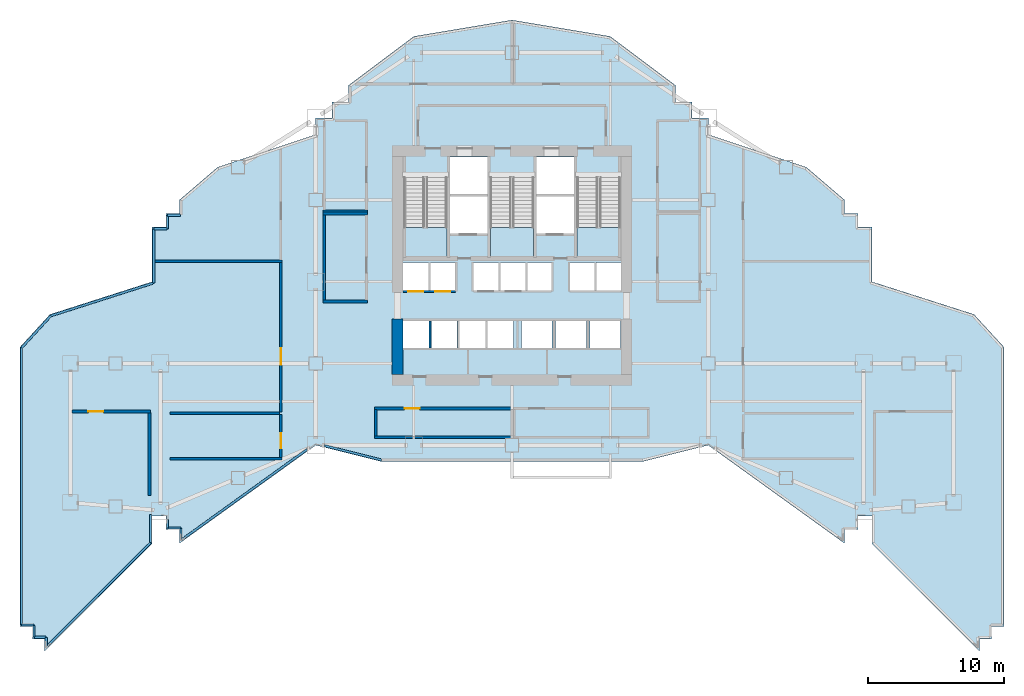
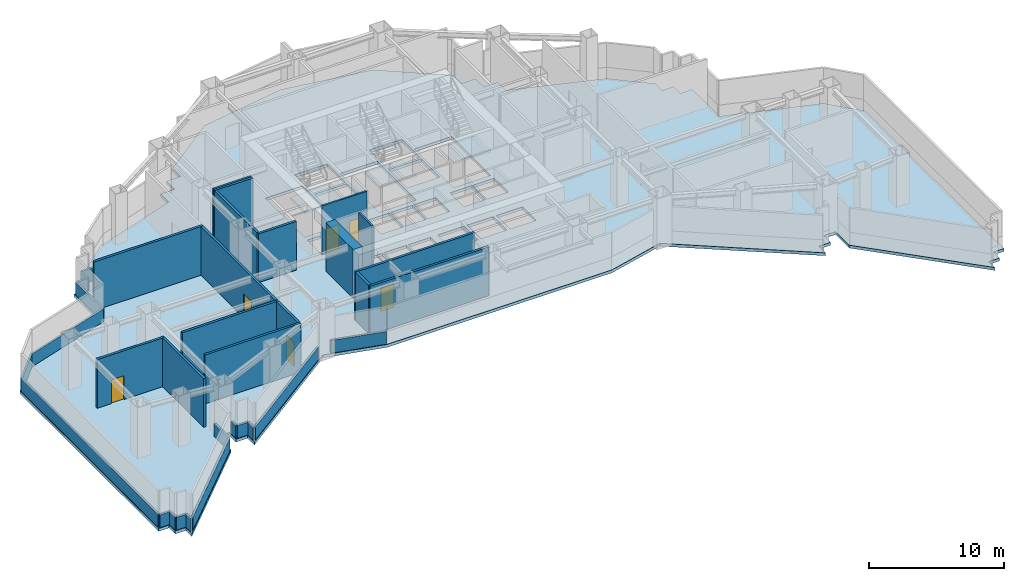
# One storey, part 2 of 12: 35 walls, 6 doors, 4 slabs, 6 openings, 3 elements without a shape of their own.
"""IFC4 building model written with IfcOpenShell, lengths in metres."""

from ifc_helpers import new_model, si_unit, direction, frame, frame_2d, origin, place, context, subcontext, project, spatial, polyline, rectangle, outline, extrude, material, layer, layer_set, type_object, element, fill, aggregate, save


model = new_model("IFC4")

# Units and contexts
model_context = context("Model", 3, precision=1e-05, world=origin(), true_north=direction((0.0, 1.0)))
body_context = subcontext(model_context, "Body", "Model", "MODEL_VIEW")
ifc_project = project(units=[si_unit("LENGTHUNIT", "METRE"), si_unit("AREAUNIT", "SQUARE_METRE"), si_unit("VOLUMEUNIT", "CUBIC_METRE"), si_unit("PLANEANGLEUNIT", "RADIAN"), si_unit("MASSUNIT", "GRAM", prefix="KILO")], contexts=[model_context])

# Site, building, storey
site_placement = place(None, origin())
site = spatial("IfcSite", under=ifc_project, at=site_placement, CompositionType="ELEMENT")
building_placement = place(site_placement, origin())
building = spatial("IfcBuilding", under=site, at=building_placement, Name="Haolan Belvedere Tower", CompositionType="ELEMENT")
storey_placement = place(building_placement, frame((0.0, 0.0, 43.0)))
storey = spatial("IfcBuildingStorey", under=building, at=storey_placement, Name="L10", CompositionType="ELEMENT", Elevation=43.0)

# Slab
ifc_material_1 = material(Name="Concrete C45/55", Category="concrete")
ifc_layer_1 = layer(ifc_material_1, 0.260009765625, Name="Concrete C45/55")
ifc_layer_set_1 = layer_set([ifc_layer_1], Name="Concrete C45/55")
slab_type_1 = type_object("IfcSlabType", Name="SL-FLR-260", PredefinedType="FLOOR", material=ifc_layer_set_1)
slab_1_placement = place(storey_placement, frame((0.0, 0.0, -0.260009765625)))
element("IfcSlab", 1, at=slab_1_placement, inside=storey, type_object=slab_type_1, Name="L10 structural floor slab", PredefinedType="FLOOR", context=body_context, shape_type="SweptSolid", body=[
    extrude(outline(polyline([(2.300048828125, 28.800048828125), (2.300048828125, 8.89501953125), (2.300048828125, 8.294921875), (3.199951171875, 8.294921875), (3.199951171875, 7.39501953125), (4.10009765625, 7.39501953125), (4.10009765625, 6.4951171875), (12.0, 14.39990234375), (12.0, 16.39990234375), (13.0, 16.39990234375), (13.0, 15.39990234375), (14.0, 15.39990234375), (14.0, 14.39990234375), (24.0, 21.60009765625), (28.800048828125, 20.39990234375), (48.0, 20.39990234375), (52.800048828125, 21.60009765625), (62.800048828125, 14.39990234375), (62.800048828125, 15.39990234375), (63.800048828125, 15.39990234375), (63.800048828125, 16.39990234375), (64.800048828125, 16.39990234375), (64.800048828125, 14.39990234375), (72.699951171875, 6.4951171875), (72.699951171875, 7.39501953125), (73.60009765625, 7.39501953125), (73.60009765625, 8.294921875), (74.5, 8.294921875), (74.5, 28.800048828125), (72.300048828125, 31.199951171875), (64.800048828125, 33.60009765625), (64.800048828125, 37.60009765625), (63.800048828125, 37.60009765625), (63.800048828125, 38.60009765625), (62.800048828125, 38.60009765625), (62.800048828125, 39.60009765625), (60.0, 42.0), (52.800048828125, 44.39990234375), (52.800048828125, 45.60009765625), (51.60009765625, 45.60009765625), (51.60009765625, 46.800048828125), (50.39990234375, 46.800048828125), (50.39990234375, 48.0), (45.60009765625, 51.60009765625), (38.39990234375, 52.800048828125), (31.199951171875, 51.60009765625), (26.39990234375, 48.0), (26.39990234375, 46.800048828125), (25.199951171875, 46.800048828125), (25.199951171875, 45.60009765625), (24.0, 45.60009765625), (24.0, 44.39990234375), (16.800048828125, 42.0), (14.0, 39.60009765625), (14.0, 38.60009765625), (13.0, 38.60009765625), (13.0, 37.60009765625), (12.0, 37.60009765625), (12.0, 33.60009765625), (4.5, 31.199951171875), (2.300048828125, 28.800048828125)]), holes=[polyline([(30.449951171875, 41.22998046875), (30.449951171875, 35.449951171875), (33.6298828125, 35.449951171875), (33.6298828125, 41.22998046875), (30.449951171875, 41.22998046875)]), polyline([(36.81005859375, 41.22998046875), (36.81005859375, 35.449951171875), (39.989990234375, 35.449951171875), (39.989990234375, 41.22998046875), (36.81005859375, 41.22998046875)]), polyline([(43.169921875, 41.22998046875), (43.169921875, 35.449951171875), (46.35009765625, 35.449951171875), (46.35009765625, 41.22998046875), (43.169921875, 41.22998046875)]), polyline([(33.830078125, 40.050048828125), (36.610107421875, 40.050048828125), (36.610107421875, 42.75), (33.830078125, 42.75), (33.830078125, 40.050048828125)]), polyline([(33.830078125, 37.14990234375), (36.610107421875, 37.14990234375), (36.610107421875, 39.85009765625), (33.830078125, 39.85009765625), (33.830078125, 37.14990234375)]), polyline([(40.18994140625, 40.050048828125), (42.969970703125, 40.050048828125), (42.969970703125, 42.75), (40.18994140625, 42.75), (40.18994140625, 40.050048828125)]), polyline([(40.18994140625, 37.14990234375), (42.969970703125, 37.14990234375), (42.969970703125, 39.85009765625), (40.18994140625, 39.85009765625), (40.18994140625, 37.14990234375)]), polyline([(30.419921875, 32.949951171875), (32.27001953125, 32.949951171875), (32.27001953125, 35.0), (30.419921875, 35.0), (30.419921875, 32.949951171875)]), polyline([(32.409912109375, 32.949951171875), (34.260009765625, 32.949951171875), (34.260009765625, 35.0), (32.409912109375, 35.0), (32.409912109375, 32.949951171875)]), polyline([(35.56005859375, 32.949951171875), (37.409912109375, 32.949951171875), (37.409912109375, 35.0), (35.56005859375, 35.0), (35.56005859375, 32.949951171875)]), polyline([(37.550048828125, 32.949951171875), (39.39990234375, 32.949951171875), (39.39990234375, 35.0), (37.550048828125, 35.0), (37.550048828125, 32.949951171875)]), polyline([(39.5400390625, 32.949951171875), (41.389892578125, 32.949951171875), (41.389892578125, 35.0), (39.5400390625, 35.0), (39.5400390625, 32.949951171875)]), polyline([(42.6201171875, 32.949951171875), (44.469970703125, 32.949951171875), (44.469970703125, 35.0), (42.6201171875, 35.0), (42.6201171875, 32.949951171875)]), polyline([(44.580078125, 32.949951171875), (46.3798828125, 32.949951171875), (46.3798828125, 35.0), (44.580078125, 35.0), (44.580078125, 32.949951171875)]), polyline([(30.419921875, 28.75), (32.320068359375, 28.75), (32.320068359375, 30.75), (30.419921875, 30.75), (30.419921875, 28.75)]), polyline([(32.47998046875, 28.75), (34.3798828125, 28.75), (34.3798828125, 30.75), (32.47998046875, 30.75), (32.47998046875, 28.75)]), polyline([(34.5400390625, 28.75), (36.43994140625, 28.75), (36.43994140625, 30.75), (34.5400390625, 30.75), (34.5400390625, 28.75)]), polyline([(36.60009765625, 28.75), (38.5, 28.75), (38.5, 30.75), (36.60009765625, 30.75), (36.60009765625, 28.75)]), polyline([(39.10009765625, 28.75), (41.340087890625, 28.75), (41.340087890625, 30.75), (39.10009765625, 30.75), (39.10009765625, 28.75)]), polyline([(41.610107421875, 28.75), (43.85009765625, 28.75), (43.85009765625, 30.75), (41.610107421875, 30.75), (41.610107421875, 28.75)]), polyline([(44.1201171875, 28.75), (46.360107421875, 28.75), (46.360107421875, 30.75), (44.1201171875, 30.75), (44.1201171875, 28.75)])]), origin(), (0.0, 0.0, 1.0), 0.260009765625),
])

# Stair, slab
ifc_material_2 = material(Name="Concrete C40/50", Category="concrete")
stair_type = type_object("IfcStairType", Name="STR-DL-28R-164", PredefinedType="HALF_TURN_STAIR", material=ifc_material_2)
stair_1_placement = place(storey_placement, origin())
stair_1 = element("IfcStair", 2, at=stair_1_placement, inside=storey, type_object=stair_type, Name="L10 Smokeproof Core Exit Stair ST1", PredefinedType="HALF_TURN_STAIR")
ifc_layer_2 = layer(ifc_material_2, 0.199951171875, Name="Concrete C40/50")
ifc_layer_set_2 = layer_set([ifc_layer_2], Name="Concrete C40/50")
slab_type_2 = type_object("IfcSlabType", Name="SL-LAND-200", PredefinedType="LANDING", material=ifc_layer_set_2)
slab_2_placement = place(storey_placement, frame((0.0, 0.0, 2.10009765625)))
slab_2 = element("IfcSlab", 3, at=slab_2_placement, type_object=slab_type_2, Name="ST1 landing 1", PredefinedType="LANDING", context=body_context, shape_type="SweptSolid", body=[
    extrude(outline(polyline([(30.449951171875, 37.590087890625), (30.449951171875, 35.449951171875), (33.6298828125, 35.449951171875), (33.6298828125, 37.590087890625), (30.449951171875, 37.590087890625)])), origin(), (0.0, 0.0, 1.0), 0.199951171875),
])
aggregate(stair_1, [slab_2])

stair_2_placement = place(storey_placement, origin())
stair_2 = element("IfcStair", 4, at=stair_2_placement, inside=storey, type_object=stair_type, Name="L10 Smokeproof Core Exit Stair ST3", PredefinedType="HALF_TURN_STAIR")
slab_3_placement = place(storey_placement, frame((0.0, 0.0, 2.10009765625)))
slab_3 = element("IfcSlab", 5, at=slab_3_placement, type_object=slab_type_2, Name="ST3 landing 1", PredefinedType="LANDING", context=body_context, shape_type="SweptSolid", body=[
    extrude(outline(polyline([(36.81005859375, 37.590087890625), (36.81005859375, 35.449951171875), (39.989990234375, 35.449951171875), (39.989990234375, 37.590087890625), (36.81005859375, 37.590087890625)])), origin(), (0.0, 0.0, 1.0), 0.199951171875),
])
aggregate(stair_2, [slab_3])

stair_3_placement = place(storey_placement, origin())
stair_3 = element("IfcStair", 6, at=stair_3_placement, inside=storey, type_object=stair_type, Name="L10 Smokeproof Core Exit Stair ST2", PredefinedType="HALF_TURN_STAIR")
slab_4_placement = place(storey_placement, frame((0.0, 0.0, 2.10009765625)))
slab_4 = element("IfcSlab", 7, at=slab_4_placement, type_object=slab_type_2, Name="ST2 landing 1", PredefinedType="LANDING", context=body_context, shape_type="SweptSolid", body=[
    extrude(outline(polyline([(43.169921875, 37.590087890625), (43.169921875, 35.449951171875), (46.35009765625, 35.449951171875), (46.35009765625, 37.590087890625), (43.169921875, 37.590087890625)])), origin(), (0.0, 0.0, 1.0), 0.199951171875),
])
aggregate(stair_3, [slab_4])

# Walls
ifc_material_3 = material(Name="Concrete C70/85", Category="concrete")
ifc_layer_3 = layer(ifc_material_3, 0.800048828125, Name="Concrete C70/85")
ifc_layer_set_3 = layer_set([ifc_layer_3], Name="Concrete C70/85")
wall_type_1 = type_object("IfcWallType", Name="WL-CORE-800", PredefinedType="SHEAR", material=ifc_layer_set_3)
wall_1_placement = place(storey_placement, frame((30.0, 26.800048828125, 0.0), z_axis=(0.0, 0.0, 1.0), x_axis=(0.0, 1.0, 0.0)))
element("IfcWall", 8, at=wall_1_placement, inside=storey, type_object=wall_type_1, Name="L10 central core shear wall WS", PredefinedType="SHEAR", context=body_context, shape_type="SweptSolid", body=[
    extrude(rectangle(XDim=4.050048828125, YDim=0.800048828125, at=frame_2d((2.02490234375, 0.0))), origin(), (0.0, 0.0, 1.0), 4.39990234375),
])
ifc_layer_4 = layer(ifc_material_2, 0.199951171875, Name="Concrete C40/50")
ifc_layer_set_4 = layer_set([ifc_layer_4], Name="Concrete C40/50")
wall_type_2 = type_object("IfcWallType", Name="WL-FIRE-200", PredefinedType="SOLIDWALL", material=ifc_layer_set_4)
wall_2_placement = place(storey_placement, frame((12.2119140625, 35.10009765625, 0.0), z_axis=(0.0, 0.0, 1.0), x_axis=(1.0, 0.0, 0.0)))
element("IfcWall", 9, at=wall_2_placement, inside=storey, type_object=wall_type_2, Name="L10 interior partition IW-L10-REF-W1-N", PredefinedType="SOLIDWALL", context=body_context, shape_type="SweptSolid", body=[
    extrude(rectangle(XDim=9.30810546875, YDim=0.199951171875, at=frame_2d((4.654052734375, 0.0))), origin(), (0.0, 0.0, 1.0), 4.39990234375),
])

# Wall, opening, door
wall_3_placement = place(storey_placement, frame((21.43994140625, 24.02001953125, 0.0), z_axis=(0.0, 0.0, 1.0), x_axis=(0.0, 1.0, 0.0)))
wall_3 = element("IfcWall", 10, at=wall_3_placement, inside=storey, type_object=wall_type_2, Name="L10 interior partition IW-L10-REF-W1-E", PredefinedType="SOLIDWALL", context=body_context, shape_type="SweptSolid", body=[
    extrude(rectangle(XDim=10.994873046875, YDim=0.199951171875, at=frame_2d((5.49755859375, 0.0))), origin(), (0.0, 0.0, 1.0), 4.39990234375),
])
opening_1_placement = place(wall_3_placement, frame((4.699951171875, 0.0, 0.0), z_axis=(0.0, 0.0, 1.0), x_axis=(-1.0, 0.0, 0.0)))
opening_1 = element("IfcOpeningElement", 11, at=opening_1_placement, cuts=wall_3, Name="Opening FD-02", PredefinedType="OPENING", context=body_context, shape_type="SweptSolid", body=[
    extrude(rectangle(XDim=1.199951171875, YDim=2.14990234375, at=frame_2d((0.60009765625, 1.074951171875))), frame((0.0, 0.10986328125, 0.0), z_axis=(0.0, -1.0, 0.0), x_axis=(1.0, 0.0, 0.0)), (0.0, 0.0, 1.0), 0.219970703125),
])
ifc_material_4 = material(Name="Galvanised fire-rated steel", Category="steel")
door_type_1 = type_object("IfcDoorType", Name="DR-FD90-1200", OperationType="NOTDEFINED", PredefinedType="DOOR", material=ifc_material_4)
door_1_placement = place(opening_1_placement, origin())
door_1 = element("IfcDoor", 12, at=door_1_placement, inside=storey, type_object=door_type_1, Name="L10 door ID-L10-REF-W1", OperationType="SINGLE_SWING_LEFT", OverallHeight=2.14990234375, OverallWidth=1.199951171875, PredefinedType="DOOR", context=body_context, shape_type="SweptSolid", body=[
    extrude(rectangle(XDim=1.199951171875, YDim=2.14990234375, at=frame_2d((0.60009765625, 1.074951171875))), frame((0.0, 0.02490234375, 0.0), z_axis=(0.0, -1.0, 0.0), x_axis=(1.0, 0.0, 0.0)), (0.0, 0.0, 1.0), 0.050048828125),
])
fill(opening_1, door_1)

# Walls
for number, where, z_axis, x_axis, name in (
    (13, (24.5400390625, 38.60009765625, 0.0), (0.0, 0.0, 1.0), (1.0, 0.0, 0.0), "L10 interior partition IW-L10-REF-WI1-N"),
    (14, (24.5400390625, 32.14990234375, 0.0), (0.0, 0.0, 1.0), (1.0, 0.0, 0.0), "L10 interior partition IW-L10-REF-WI1-S"),
):
    element("IfcWall", number, at=place(storey_placement, frame(where, z_axis=z_axis, x_axis=x_axis)), inside=storey, type_object=wall_type_2, Name=name, PredefinedType="SOLIDWALL", context=body_context, shape_type="SweptSolid", body=[
        extrude(rectangle(XDim=3.260009765625, YDim=0.199951171875, at=frame_2d((1.6298828125, 0.0))), origin(), (0.0, 0.0, 1.0), 4.39990234375),
    ])
wall_4_placement = place(storey_placement, frame((24.6201171875, 32.235107421875, 0.0), z_axis=(0.0, 0.0, 1.0), x_axis=(0.0, 1.0, 0.0)))
element("IfcWall", 15, at=wall_4_placement, inside=storey, type_object=wall_type_2, Name="L10 interior partition IW-L10-REF-WI1-W", PredefinedType="SOLIDWALL", context=body_context, shape_type="SweptSolid", body=[
    extrude(rectangle(XDim=6.27978515625, YDim=0.199951171875, at=frame_2d((3.139892578125, 0.0))), origin(), (0.0, 0.0, 1.0), 4.39990234375),
])
wall_5_placement = place(storey_placement, frame((24.5400390625, 38.760009765625, 0.0), z_axis=(0.0, 0.0, 1.0), x_axis=(1.0, 0.0, 0.0)))
element("IfcWall", 16, at=wall_5_placement, inside=storey, type_object=wall_type_2, Name="L10 interior partition IW-L10-REF-WI2-S", PredefinedType="SOLIDWALL", context=body_context, shape_type="SweptSolid", body=[
    extrude(rectangle(XDim=3.260009765625, YDim=0.199951171875, at=frame_2d((1.6298828125, 0.0))), origin(), (0.0, 0.0, 1.0), 4.39990234375),
])

# Wall, opening, door
wall_6_placement = place(storey_placement, frame((28.320068359375, 24.300048828125, 0.0), z_axis=(0.0, 0.0, 1.0), x_axis=(1.0, 0.0, 0.0)))
wall_6 = element("IfcWall", 17, at=wall_6_placement, inside=storey, type_object=wall_type_2, Name="L10 interior partition IW-L10-PLT-AHU-N", PredefinedType="SOLIDWALL", context=body_context, shape_type="SweptSolid", body=[
    extrude(rectangle(XDim=10.159912109375, YDim=0.199951171875, at=frame_2d((5.080078125, 0.0))), origin(), (0.0, 0.0, 1.0), 4.39990234375),
])
opening_2_placement = place(wall_6_placement, frame((3.300048828125, 0.0, 0.0), z_axis=(0.0, 0.0, 1.0), x_axis=(-1.0, 0.0, 0.0)))
opening_2 = element("IfcOpeningElement", 18, at=opening_2_placement, cuts=wall_6, Name="Opening FD-03", PredefinedType="OPENING", context=body_context, shape_type="SweptSolid", body=[
    extrude(rectangle(XDim=1.10009765625, YDim=2.14990234375, at=frame_2d((0.550048828125, 1.074951171875))), frame((0.0, 0.10986328125, 0.0), z_axis=(0.0, -1.0, 0.0), x_axis=(1.0, 0.0, 0.0)), (0.0, 0.0, 1.0), 0.219970703125),
])
door_type_2 = type_object("IfcDoorType", Name="DR-FD90-1100", OperationType="NOTDEFINED", PredefinedType="DOOR", material=ifc_material_4)
door_2_placement = place(opening_2_placement, origin())
door_2 = element("IfcDoor", 19, at=door_2_placement, inside=storey, type_object=door_type_2, Name="L10 door ID-L10-PLT-AHU", OperationType="SINGLE_SWING_LEFT", OverallHeight=2.14990234375, OverallWidth=1.10009765625, PredefinedType="DOOR", context=body_context, shape_type="SweptSolid", body=[
    extrude(rectangle(XDim=1.10009765625, YDim=2.14990234375, at=frame_2d((0.550048828125, 1.074951171875))), frame((0.0, 0.02490234375, 0.0), z_axis=(0.0, -1.0, 0.0), x_axis=(1.0, 0.0, 0.0)), (0.0, 0.0, 1.0), 0.050048828125),
])
fill(opening_2, door_2)

# Walls
wall_7_placement = place(storey_placement, frame((28.320068359375, 22.179931640625, 0.0), z_axis=(0.0, 0.0, 1.0), x_axis=(1.0, 0.0, 0.0)))
element("IfcWall", 20, at=wall_7_placement, inside=storey, type_object=wall_type_2, Name="L10 interior partition IW-L10-PLT-AHU-S", PredefinedType="SOLIDWALL", context=body_context, shape_type="SweptSolid", body=[
    extrude(rectangle(XDim=10.159912109375, YDim=0.199951171875, at=frame_2d((5.080078125, 0.0))), origin(), (0.0, 0.0, 1.0), 4.39990234375),
])
wall_8_placement = place(storey_placement, frame((28.39990234375, 22.264892578125, 0.0), z_axis=(0.0, 0.0, 1.0), x_axis=(0.0, 1.0, 0.0)))
element("IfcWall", 21, at=wall_8_placement, inside=storey, type_object=wall_type_2, Name="L10 interior partition IW-L10-PLT-AHU-W", PredefinedType="SOLIDWALL", context=body_context, shape_type="SweptSolid", body=[
    extrude(rectangle(XDim=1.9501953125, YDim=0.199951171875, at=frame_2d((0.97509765625, 0.0))), origin(), (0.0, 0.0, 1.0), 4.39990234375),
])
wall_9_placement = place(storey_placement, frame((13.320068359375, 23.93994140625, 0.0), z_axis=(0.0, 0.0, 1.0), x_axis=(1.0, 0.0, 0.0)))
element("IfcWall", 22, at=wall_9_placement, inside=storey, type_object=wall_type_2, Name="L10 interior partition IW-L10-PLT-SUB-N", PredefinedType="SOLIDWALL", context=body_context, shape_type="SweptSolid", body=[
    extrude(rectangle(XDim=8.034912109375, YDim=0.199951171875, at=frame_2d((4.017578125, 0.0))), origin(), (0.0, 0.0, 1.0), 4.39990234375),
])
wall_10_placement = place(storey_placement, frame((13.320068359375, 20.60009765625, 0.0), z_axis=(0.0, 0.0, 1.0), x_axis=(1.0, 0.0, 0.0)))
element("IfcWall", 23, at=wall_10_placement, inside=storey, type_object=wall_type_2, Name="L10 interior partition IW-L10-PLT-SUB-S", PredefinedType="SOLIDWALL", context=body_context, shape_type="SweptSolid", body=[
    extrude(rectangle(XDim=8.199951171875, YDim=0.199951171875, at=frame_2d((4.10009765625, 0.0))), origin(), (0.0, 0.0, 1.0), 4.39990234375),
])

# Wall, opening, door
wall_11_placement = place(storey_placement, frame((21.43994140625, 20.68505859375, 0.0), z_axis=(0.0, 0.0, 1.0), x_axis=(0.0, 1.0, 0.0)))
wall_11 = element("IfcWall", 24, at=wall_11_placement, inside=storey, type_object=wall_type_2, Name="L10 interior partition IW-L10-PLT-SUB-E", PredefinedType="SOLIDWALL", context=body_context, shape_type="SweptSolid", body=[
    extrude(rectangle(XDim=3.169921875, YDim=0.199951171875, at=frame_2d((1.5849609375, 0.0))), origin(), (0.0, 0.0, 1.0), 4.39990234375),
])
opening_3_placement = place(wall_11_placement, frame((1.78515625, 0.0, 0.0), z_axis=(0.0, 0.0, 1.0), x_axis=(-1.0, 0.0, 0.0)))
opening_3 = element("IfcOpeningElement", 25, at=opening_3_placement, cuts=wall_11, Name="Opening FD-03", PredefinedType="OPENING", context=body_context, shape_type="SweptSolid", body=[
    extrude(rectangle(XDim=1.10009765625, YDim=2.14990234375, at=frame_2d((0.550048828125, 1.074951171875))), frame((0.0, 0.10986328125, 0.0), z_axis=(0.0, -1.0, 0.0), x_axis=(1.0, 0.0, 0.0)), (0.0, 0.0, 1.0), 0.219970703125),
])
door_3_placement = place(opening_3_placement, origin())
door_3 = element("IfcDoor", 26, at=door_3_placement, inside=storey, type_object=door_type_2, Name="L10 door ID-L10-PLT-SUB", OperationType="SINGLE_SWING_RIGHT", OverallHeight=2.14990234375, OverallWidth=1.10009765625, PredefinedType="DOOR", context=body_context, shape_type="SweptSolid", body=[
    extrude(rectangle(XDim=1.10009765625, YDim=2.14990234375, at=frame_2d((0.550048828125, 1.074951171875))), frame((0.0, 0.02490234375, 0.0), z_axis=(0.0, -1.0, 0.0), x_axis=(1.0, 0.0, 0.0)), (0.0, 0.0, 1.0), 0.050048828125),
])
fill(opening_3, door_3)

wall_12_placement = place(storey_placement, frame((6.1201171875, 24.080078125, 0.0), z_axis=(0.0, 0.0, 1.0), x_axis=(1.0, 0.0, 0.0)))
wall_12 = element("IfcWall", 27, at=wall_12_placement, inside=storey, type_object=wall_type_2, Name="L10 interior partition IW-L10-REF-WT1-N", PredefinedType="SOLIDWALL", context=body_context, shape_type="SweptSolid", body=[
    extrude(rectangle(XDim=5.759765625, YDim=0.199951171875, at=frame_2d((2.8798828125, 0.0))), origin(), (0.0, 0.0, 1.0), 4.39990234375),
])
opening_4_placement = place(wall_12_placement, frame((2.300048828125, 0.0, 0.0), z_axis=(0.0, 0.0, 1.0), x_axis=(-1.0, 0.0, 0.0)))
opening_4 = element("IfcOpeningElement", 28, at=opening_4_placement, cuts=wall_12, Name="Opening FD-03", PredefinedType="OPENING", context=body_context, shape_type="SweptSolid", body=[
    extrude(rectangle(XDim=1.10009765625, YDim=2.14990234375, at=frame_2d((0.550048828125, 1.074951171875))), frame((0.0, 0.10986328125, 0.0), z_axis=(0.0, -1.0, 0.0), x_axis=(1.0, 0.0, 0.0)), (0.0, 0.0, 1.0), 0.219970703125),
])
door_4_placement = place(opening_4_placement, origin())
door_4 = element("IfcDoor", 29, at=door_4_placement, inside=storey, type_object=door_type_2, Name="L10 door ID-L10-REF-WT1", OperationType="SINGLE_SWING_LEFT", OverallHeight=2.14990234375, OverallWidth=1.10009765625, PredefinedType="DOOR", context=body_context, shape_type="SweptSolid", body=[
    extrude(rectangle(XDim=1.10009765625, YDim=2.14990234375, at=frame_2d((0.550048828125, 1.074951171875))), frame((0.0, 0.02490234375, 0.0), z_axis=(0.0, -1.0, 0.0), x_axis=(1.0, 0.0, 0.0)), (0.0, 0.0, 1.0), 0.050048828125),
])
fill(opening_4, door_4)

# Walls
wall_13_placement = place(storey_placement, frame((11.800048828125, 17.919921875, 0.0), z_axis=(0.0, 0.0, 1.0), x_axis=(0.0, 1.0, 0.0)))
element("IfcWall", 30, at=wall_13_placement, inside=storey, type_object=wall_type_2, Name="L10 interior partition IW-L10-REF-WT1-E", PredefinedType="SOLIDWALL", context=body_context, shape_type="SweptSolid", body=[
    extrude(rectangle(XDim=6.0751953125, YDim=0.199951171875, at=frame_2d((3.03759765625, 0.0))), origin(), (0.0, 0.0, 1.0), 4.39990234375),
])
ifc_material_5 = material(Name="Precast concrete C40/50", Category="concrete")
ifc_layer_5 = layer(ifc_material_5, 0.159912109375, Name="Precast concrete C40/50")
ifc_layer_set_5 = layer_set([ifc_layer_5], Name="Precast concrete C40/50")
wall_type_3 = type_object("IfcWallType", Name="WL-PAR-160", PredefinedType="PARAPET", material=ifc_layer_set_5)
wall_14_placement = place(storey_placement, frame((2.419921875, 8.4150390625, 0.0), z_axis=(0.0, 0.0, 1.0), x_axis=(1.0, 0.0, 0.0)))
element("IfcWall", 31, at=wall_14_placement, inside=storey, type_object=wall_type_3, Name="L10 refuge open-band parapet 1.1", PredefinedType="PARAPET", context=body_context, shape_type="SweptSolid", body=[
    extrude(rectangle(XDim=0.900146484375, YDim=0.159912109375, at=frame_2d((0.4501953125, 0.0))), origin(), (0.0, 0.0, 1.0), 1.14990234375),
])
wall_15_placement = place(storey_placement, frame((3.320068359375, 8.385009765625, 0.0), z_axis=(0.0, 0.0, 1.0), x_axis=(0.0, -1.0, 0.0)))
element("IfcWall", 32, at=wall_15_placement, inside=storey, type_object=wall_type_3, Name="L10 refuge open-band parapet 2.1", PredefinedType="PARAPET", context=body_context, shape_type="SweptSolid", body=[
    extrude(rectangle(XDim=0.8701171875, YDim=0.159912109375, at=frame_2d((0.43505859375, 0.0))), origin(), (0.0, 0.0, 1.0), 1.14990234375),
])
wall_16_placement = place(storey_placement, frame((3.35009765625, 7.514892578125, 0.0), z_axis=(0.0, 0.0, 1.0), x_axis=(1.0, 0.0, 0.0)))
element("IfcWall", 33, at=wall_16_placement, inside=storey, type_object=wall_type_3, Name="L10 refuge open-band parapet 3.1", PredefinedType="PARAPET", context=body_context, shape_type="SweptSolid", body=[
    extrude(rectangle(XDim=0.869873046875, YDim=0.159912109375, at=frame_2d((0.43505859375, 0.0))), origin(), (0.0, 0.0, 1.0), 1.14990234375),
])
wall_17_placement = place(storey_placement, frame((4.219970703125, 7.485107421875, 0.0), z_axis=(0.0, 0.0, 1.0), x_axis=(0.0, -1.0, 0.0)))
element("IfcWall", 34, at=wall_17_placement, inside=storey, type_object=wall_type_3, Name="L10 refuge open-band parapet 4.1", PredefinedType="PARAPET", context=body_context, shape_type="SweptSolid", body=[
    extrude(rectangle(XDim=0.7001953125, YDim=0.159912109375, at=frame_2d((0.35009765625, 0.0))), origin(), (0.0, 0.0, 1.0), 1.14990234375),
])
wall_18_placement = place(storey_placement, frame((4.3046875, 6.86962890625, 0.0), z_axis=(0.0, 0.0, 1.0), x_axis=(0.706878924799, 0.707334564173, 0.0)))
element("IfcWall", 35, at=wall_18_placement, inside=storey, type_object=wall_type_3, Name="L10 refuge open-band parapet 5.1", PredefinedType="PARAPET", context=body_context, shape_type="SweptSolid", body=[
    extrude(rectangle(XDim=10.71630859375, YDim=0.159912109375, at=frame_2d((5.358154296875, 0.0))), origin(), (0.0, 0.0, 1.0), 1.14990234375),
])
wall_19_placement = place(storey_placement, frame((11.8798828125, 14.44970703125, 0.0), z_axis=(0.0, 0.0, 1.0), x_axis=(0.0, 1.0, 0.0)))
element("IfcWall", 36, at=wall_19_placement, inside=storey, type_object=wall_type_3, Name="L10 refuge open-band parapet 6.1", PredefinedType="PARAPET", context=body_context, shape_type="SweptSolid", body=[
    extrude(rectangle(XDim=2.0703125, YDim=0.159912109375, at=frame_2d((1.03515625, 0.0))), origin(), (0.0, 0.0, 1.0), 1.14990234375),
])
wall_20_placement = place(storey_placement, frame((13.1201171875, 16.157958984375, 0.0), z_axis=(0.0, 0.0, 1.0), x_axis=(0.0, -1.0, 0.0)))
element("IfcWall", 37, at=wall_20_placement, inside=storey, type_object=wall_type_3, Name="L10 refuge open-band parapet 8.1", PredefinedType="PARAPET", context=body_context, shape_type="SweptSolid", body=[
    extrude(rectangle(XDim=0.637939453125, YDim=0.159912109375, at=frame_2d((0.31884765625, 0.0))), origin(), (0.0, 0.0, 1.0), 1.14990234375),
])
wall_21_placement = place(storey_placement, frame((13.14990234375, 15.52001953125, 0.0), z_axis=(0.0, 0.0, 1.0), x_axis=(1.0, 0.0, 0.0)))
element("IfcWall", 38, at=wall_21_placement, inside=storey, type_object=wall_type_3, Name="L10 refuge open-band parapet 9.1", PredefinedType="PARAPET", context=body_context, shape_type="SweptSolid", body=[
    extrude(rectangle(XDim=0.97021484375, YDim=0.159912109375, at=frame_2d((0.485107421875, 0.0))), origin(), (0.0, 0.0, 1.0), 1.14990234375),
])
wall_22_placement = place(storey_placement, frame((14.1201171875, 15.489990234375, 0.0), z_axis=(0.0, 0.0, 1.0), x_axis=(0.0, -1.0, 0.0)))
element("IfcWall", 39, at=wall_22_placement, inside=storey, type_object=wall_type_3, Name="L10 refuge open-band parapet 10.1", PredefinedType="PARAPET", context=body_context, shape_type="SweptSolid", body=[
    extrude(rectangle(XDim=0.855712890625, YDim=0.159912109375, at=frame_2d((0.427734375, 0.0))), origin(), (0.0, 0.0, 1.0), 1.14990234375),
])
wall_23_placement = place(storey_placement, frame((14.193115234375, 14.68701171875, 0.0), z_axis=(0.0, 0.0, 1.0), x_axis=(0.81153516154, 0.584303586832, 0.0)))
element("IfcWall", 40, at=wall_23_placement, inside=storey, type_object=wall_type_3, Name="L10 refuge open-band parapet 11.1", PredefinedType="PARAPET", context=body_context, shape_type="SweptSolid", body=[
    extrude(rectangle(XDim=11.293212890625, YDim=0.159912109375, at=frame_2d((5.646484375, 0.0))), origin(), (0.0, 0.0, 1.0), 1.14990234375),
])
wall_24_placement = place(storey_placement, frame((24.64208984375, 21.563232421875, 0.0), z_axis=(0.0, 0.0, 1.0), x_axis=(0.970139161044, -0.242548981051, 0.0)))
element("IfcWall", 41, at=wall_24_placement, inside=storey, type_object=wall_type_3, Name="L10 refuge open-band parapet 12.1", PredefinedType="PARAPET", context=body_context, shape_type="SweptSolid", body=[
    extrude(rectangle(XDim=4.301025390625, YDim=0.159912109375, at=frame_2d((2.150390625, 0.0))), origin(), (0.0, 0.0, 1.0), 1.14990234375),
])
for number, where, z_axis, x_axis, name in (
    (42, (14.090087890625, 38.47998046875, 0.0), (0.0, 0.0, 1.0), (-1.0, 0.0, 0.0), "L10 refuge open-band parapet 53.1"),
    (43, (13.1201171875, 38.449951171875, 0.0), (0.0, 0.0, 1.0), (0.0, -1.0, 0.0), "L10 refuge open-band parapet 54.1"),
    (44, (13.090087890625, 37.47998046875, 0.0), (0.0, 0.0, 1.0), (-1.0, 0.0, 0.0), "L10 refuge open-band parapet 55.1"),
):
    element("IfcWall", number, at=place(storey_placement, frame(where, z_axis=z_axis, x_axis=x_axis)), inside=storey, type_object=wall_type_3, Name=name, PredefinedType="PARAPET", context=body_context, shape_type="SweptSolid", body=[
        extrude(rectangle(XDim=0.969970703125, YDim=0.159912109375, at=frame_2d((0.48486328125, 0.0))), origin(), (0.0, 0.0, 1.0), 1.14990234375),
    ])
wall_25_placement = place(storey_placement, frame((12.1201171875, 37.449951171875, 0.0), z_axis=(0.0, 0.0, 1.0), x_axis=(0.0, -1.0, 0.0)))
element("IfcWall", 45, at=wall_25_placement, inside=storey, type_object=wall_type_3, Name="L10 refuge open-band parapet 56.1", PredefinedType="PARAPET", context=body_context, shape_type="SweptSolid", body=[
    extrude(rectangle(XDim=3.9375, YDim=0.159912109375, at=frame_2d((1.96875, 0.0))), origin(), (0.0, 0.0, 1.0), 1.14990234375),
])
wall_26_placement = place(storey_placement, frame((12.09130859375, 33.50341796875, 0.0), z_axis=(0.0, 0.0, 1.0), x_axis=(-0.952418764882, -0.304792546334, 0.0)))
element("IfcWall", 46, at=wall_26_placement, inside=storey, type_object=wall_type_3, Name="L10 refuge open-band parapet 57.1", PredefinedType="PARAPET", context=body_context, shape_type="SweptSolid", body=[
    extrude(rectangle(XDim=7.900390625, YDim=0.159912109375, at=frame_2d((3.9501953125, 0.0))), origin(), (0.0, 0.0, 1.0), 1.14990234375),
])
wall_27_placement = place(storey_placement, frame((4.56689453125, 31.095458984375, 0.0), z_axis=(0.0, 0.0, 1.0), x_axis=(-0.67574202635, -0.73713819181, 0.0)))
element("IfcWall", 47, at=wall_27_placement, inside=storey, type_object=wall_type_3, Name="L10 refuge open-band parapet 58.1", PredefinedType="PARAPET", context=body_context, shape_type="SweptSolid", body=[
    extrude(rectangle(XDim=3.17724609375, YDim=0.159912109375, at=frame_2d((1.588623046875, 0.0))), origin(), (0.0, 0.0, 1.0), 1.14990234375),
])
wall_28_placement = place(storey_placement, frame((2.419921875, 28.75341796875, 0.0), z_axis=(0.0, 0.0, 1.0), x_axis=(0.0, -1.0, 0.0)))
element("IfcWall", 48, at=wall_28_placement, inside=storey, type_object=wall_type_3, Name="L10 refuge open-band parapet 59.1", PredefinedType="PARAPET", context=body_context, shape_type="SweptSolid", body=[
    extrude(rectangle(XDim=20.308349609375, YDim=0.159912109375, at=frame_2d((10.154296875, 0.0))), origin(), (0.0, 0.0, 1.0), 1.14990234375),
])

# Wall, openings, doors
ifc_material_6 = material(Name="Gypsum fire shaftwall assembly", Category="masonry")
ifc_layer_6 = layer(ifc_material_6, 0.1650390625, Name="Gypsum fire shaftwall assembly")
ifc_layer_set_6 = layer_set([ifc_layer_6], Name="Gypsum fire shaftwall assembly")
wall_type_4 = type_object("IfcWallType", Name="WL-SHAFT-160", PredefinedType="SOLIDWALL", material=ifc_layer_set_6)
wall_29_placement = place(storey_placement, frame((30.39990234375, 32.8798828125, 0.0), z_axis=(0.0, 0.0, 1.0), x_axis=(1.0, 0.0, 0.0)))
wall_29 = element("IfcWall", 49, at=wall_29_placement, inside=storey, type_object=wall_type_4, Name="L10 interior partition IW-L10-ROW-PN1", PredefinedType="SOLIDWALL", context=body_context, shape_type="SweptSolid", body=[
    extrude(rectangle(XDim=3.85009765625, YDim=0.159912109375, at=frame_2d((1.925048828125, 0.0))), origin(), (0.0, 0.0, 1.0), 4.39990234375),
])
opening_5_placement = place(wall_29_placement, frame((1.47998046875, 0.0, 0.0), z_axis=(0.0, 0.0, 1.0), x_axis=(-1.0, 0.0, 0.0)))
opening_5 = element("IfcOpeningElement", 50, at=opening_5_placement, cuts=wall_29, Name="Opening LD-01", PredefinedType="OPENING", context=body_context, shape_type="SweptSolid", body=[
    extrude(rectangle(XDim=1.10009765625, YDim=2.199951171875, at=frame_2d((0.550048828125, 1.10009765625))), frame((0.0, 0.08984375, 0.0), z_axis=(0.0, -1.0, 0.0), x_axis=(1.0, 0.0, 0.0)), (0.0, 0.0, 1.0), 0.179931640625),
])
opening_6_placement = place(wall_29_placement, frame((3.47021484375, 0.0, 0.0), z_axis=(0.0, 0.0, 1.0), x_axis=(-1.0, 0.0, 0.0)))
opening_6 = element("IfcOpeningElement", 51, at=opening_6_placement, cuts=wall_29, Name="Opening LD-01", PredefinedType="OPENING", context=body_context, shape_type="SweptSolid", body=[
    extrude(rectangle(XDim=1.10009765625, YDim=2.199951171875, at=frame_2d((0.550048828125, 1.10009765625))), frame((0.0, 0.08984375, 0.0), z_axis=(0.0, -1.0, 0.0), x_axis=(1.0, 0.0, 0.0)), (0.0, 0.0, 1.0), 0.179931640625),
])
ifc_material_7 = material(Name="Brushed champagne stainless steel 316L", Category="steel")
door_type_3 = type_object("IfcDoorType", Name="DR-LIFT-1100", OperationType="SLIDING_TO_LEFT", PredefinedType="DOOR", material=ifc_material_7)
door_5_placement = place(opening_5_placement, origin())
door_5 = element("IfcDoor", 52, at=door_5_placement, inside=storey, type_object=door_type_3, Name="L10 door ID-L10-LD-PL1", OperationType="SLIDING_TO_LEFT", OverallHeight=2.199951171875, OverallWidth=1.10009765625, PredefinedType="DOOR", context=body_context, shape_type="SweptSolid", body=[
    extrude(rectangle(XDim=1.10009765625, YDim=2.199951171875, at=frame_2d((0.550048828125, 1.10009765625))), frame((0.0, 0.02490234375, 0.0), z_axis=(0.0, -1.0, 0.0), x_axis=(1.0, 0.0, 0.0)), (0.0, 0.0, 1.0), 0.050048828125),
])
fill(opening_5, door_5)
door_6_placement = place(opening_6_placement, origin())
door_6 = element("IfcDoor", 53, at=door_6_placement, inside=storey, type_object=door_type_3, Name="L10 door ID-L10-LD-PL2", OperationType="SLIDING_TO_LEFT", OverallHeight=2.199951171875, OverallWidth=1.10009765625, PredefinedType="DOOR", context=body_context, shape_type="SweptSolid", body=[
    extrude(rectangle(XDim=1.10009765625, YDim=2.199951171875, at=frame_2d((0.550048828125, 1.10009765625))), frame((0.0, 0.02490234375, 0.0), z_axis=(0.0, -1.0, 0.0), x_axis=(1.0, 0.0, 0.0)), (0.0, 0.0, 1.0), 0.050048828125),
])
fill(opening_6, door_6)

# Wall
wall_30_placement = place(storey_placement, frame((32.39990234375, 28.735107421875, 0.0), z_axis=(0.0, 0.0, 1.0), x_axis=(0.0, 1.0, 0.0)))
element("IfcWall", 54, at=wall_30_placement, inside=storey, type_object=wall_type_4, Name="L10 interior partition IW-L10-DIV-PM1", PredefinedType="SOLIDWALL", context=body_context, shape_type="SweptSolid", body=[
    extrude(rectangle(XDim=1.98486328125, YDim=0.14990234375, at=frame_2d((0.992431640625, 0.0))), origin(), (0.0, 0.0, 1.0), 4.39990234375),
])

save(model, "model.ifc")
